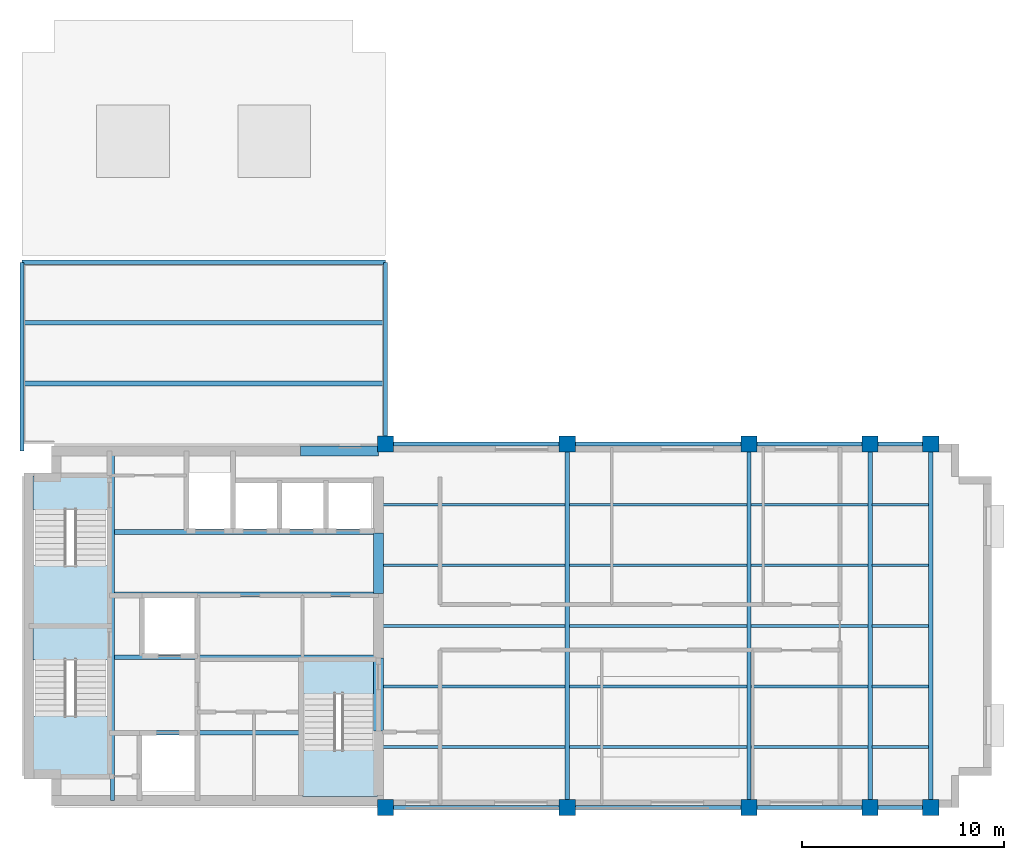
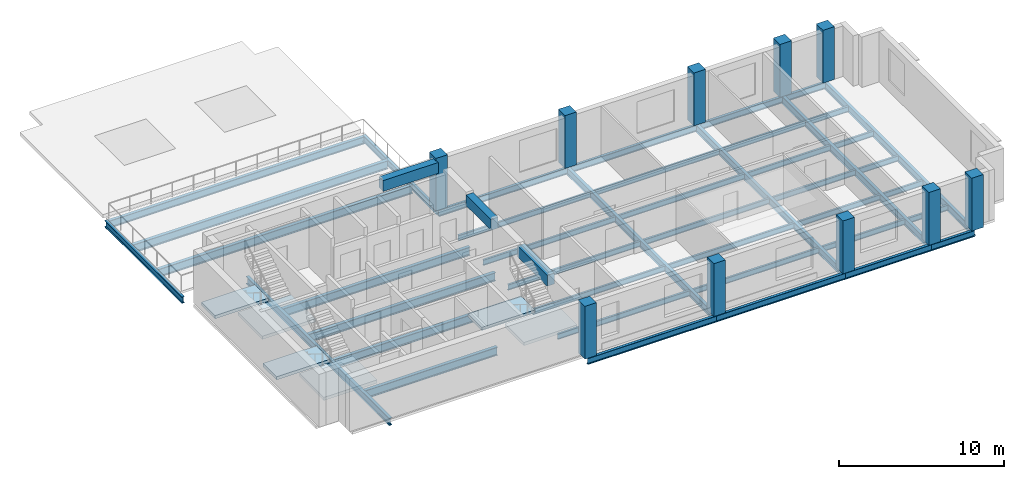
# One storey, part 1 of 5: 45 beams, 10 columns, 6 slabs, 3 elements without a shape of their own.
"""IFC4 building model written with IfcOpenShell, lengths in metres."""

from ifc_helpers import new_model, si_unit, direction, frame, origin, origin_2d, place, context, subcontext, project, spatial, polyline, rectangle, i_section, outline, extrude, material, layer, layer_set, material_profile, profile_set, type_object, element, aggregate, save


model = new_model("IFC4")

# Units and contexts
model_context = context("Model", 3, precision=1e-05, world=origin(), true_north=direction((0.0, 1.0)))
body_context = subcontext(model_context, "Body", "Model", "MODEL_VIEW")
ifc_project = project(units=[si_unit("LENGTHUNIT", "METRE"), si_unit("AREAUNIT", "SQUARE_METRE"), si_unit("VOLUMEUNIT", "CUBIC_METRE"), si_unit("PLANEANGLEUNIT", "RADIAN"), si_unit("MASSUNIT", "GRAM", prefix="KILO")], contexts=[model_context])

# Site, building, storey
site_placement = place(None, origin())
site = spatial("IfcSite", under=ifc_project, at=site_placement, CompositionType="ELEMENT")
building_placement = place(site_placement, origin())
building = spatial("IfcBuilding", under=site, at=building_placement, Name="Mawjdan Bourse Tower", CompositionType="ELEMENT")
storey_placement = place(building_placement, frame((0.0, 0.0, 254.699951171875)))
storey = spatial("IfcBuildingStorey", under=building, at=storey_placement, Name="L62", CompositionType="ELEMENT", Elevation=254.699951171875)

# Columns
ifc_material_1 = material(Name="Concrete C60/75", Category="concrete")
ifc_material_profile_1 = material_profile(ifc_material_1, rectangle(XDim=0.800048828125, YDim=0.800048828125, at=origin_2d()), Name="RC800X800")
ifc_profile_set_1 = profile_set([ifc_material_profile_1], Name="Concrete C60/75")
column_type = type_object("IfcColumnType", Name="COL-RC800X800", PredefinedType="COLUMN", material=ifc_profile_set_1)
for number, where, z_axis, x_axis, name in (
    (1, (24.0, 3.0, 0.0), (0.0, 0.0, 1.0), (1.0, 0.0, 0.0), "L62 Structural Column C-X240-Y30"),
    (2, (24.0, 21.0, 0.0), (0.0, 0.0, 1.0), (1.0, 0.0, 0.0), "L62 Structural Column C-X240-Y210"),
    (3, (33.0, 3.0, 0.0), (0.0, 0.0, 1.0), (1.0, 0.0, 0.0), "L62 Structural Column C-X330-Y30"),
    (4, (33.0, 21.0, 0.0), (0.0, 0.0, 1.0), (1.0, 0.0, 0.0), "L62 Structural Column C-X330-Y210"),
    (5, (42.0, 3.0, 0.0), (0.0, 0.0, 1.0), (1.0, 0.0, 0.0), "L62 Structural Column C-X420-Y30"),
    (6, (42.0, 21.0, 0.0), (0.0, 0.0, 1.0), (1.0, 0.0, 0.0), "L62 Structural Column C-X420-Y210"),
    (7, (48.0, 3.0, 0.0), (0.0, 0.0, 1.0), (1.0, 0.0, 0.0), "L62 Structural Column C-X480-Y30"),
    (8, (48.0, 21.0, 0.0), (0.0, 0.0, 1.0), (1.0, 0.0, 0.0), "L62 Structural Column C-X480-Y210"),
    (9, (51.0, 3.0, 0.0), (0.0, 0.0, 1.0), (1.0, 0.0, 0.0), "L62 Structural Column C-X510-Y30"),
    (10, (51.0, 21.0, 0.0), (0.0, 0.0, 1.0), (1.0, 0.0, 0.0), "L62 Structural Column C-X510-Y210"),
):
    element("IfcColumn", number, at=place(storey_placement, frame(where, z_axis=z_axis, x_axis=x_axis)), inside=storey, type_object=column_type, Name=name, PredefinedType="COLUMN", context=body_context, shape_type="SweptSolid", body=[
        extrude(rectangle(XDim=0.800048828125, YDim=0.800048828125, at=origin_2d()), origin(), (0.0, 0.0, 1.0), 3.900146484375),
    ])

# Beams
ifc_material_2 = material(Name="Structural Steel S355", Category="steel")
ifc_material_profile_2 = material_profile(ifc_material_2, i_section(OverallWidth=0.2119140625, OverallDepth=0.5439453125, WebThickness=0.01318359375, FlangeThickness=0.021240234375, FilletRadius=0.01708984375, at=origin_2d()), Name="W21X83")
ifc_profile_set_2 = profile_set([ifc_material_profile_2], Name="Structural Steel S355")
beam_type_1 = type_object("IfcBeamType", Name="GRD-W21X83", PredefinedType="BEAM", material=ifc_profile_set_2)
beam_1_placement = place(storey_placement, frame((10.47998046875, 3.35009765625, -0.45703125), z_axis=(0.0, 1.0, 0.0), x_axis=(-1.0, 0.0, 0.0)))
element("IfcBeam", 11, at=beam_1_placement, inside=storey, type_object=beam_type_1, Name="L62 Core Stair Trimmer Girder 001", PredefinedType="BEAM", context=body_context, shape_type="SweptSolid", body=[
    extrude(i_section(OverallWidth=0.2119140625, OverallDepth=0.5439453125, WebThickness=0.01318359375, FlangeThickness=0.021240234375, FilletRadius=0.01708984375, at=origin_2d()), origin(), (0.0, 0.0, 1.0), 17.2998046875),
])
for number, where, z_axis, x_axis, name in (
    (12, (33.0, 3.0, -0.45703125), (0.0, 1.0, 0.0), (-1.0, 0.0, 0.0), "L62 East Wing Clear-Span Girder 002"),
    (13, (42.0, 3.0, -0.45703125), (0.0, 1.0, 0.0), (-1.0, 0.0, 0.0), "L62 East Wing Clear-Span Girder 003"),
    (14, (48.0, 3.0, -0.45703125), (0.0, 1.0, 0.0), (-1.0, 0.0, 0.0), "L62 East Wing Clear-Span Girder 004"),
    (15, (51.0, 3.0, -0.45703125), (0.0, 1.0, 0.0), (-1.0, 0.0, 0.0), "L62 East Wing Clear-Span Girder 005"),
    (16, (6.0, 30.0, -0.531982421875), (1.0, 0.0, 0.0), (0.0, 1.0, 0.0), "L62 L62 Terrace North Edge Girder 038"),
):
    element("IfcBeam", number, at=place(storey_placement, frame(where, z_axis=z_axis, x_axis=x_axis)), inside=storey, type_object=beam_type_1, Name=name, PredefinedType="BEAM", context=body_context, shape_type="SweptSolid", body=[
        extrude(i_section(OverallWidth=0.2119140625, OverallDepth=0.5439453125, WebThickness=0.01318359375, FlangeThickness=0.021240234375, FilletRadius=0.01708984375, at=origin_2d()), origin(), (0.0, 0.0, 1.0), 18.0),
    ])
ifc_material_profile_3 = material_profile(ifc_material_2, i_section(OverallWidth=0.139892578125, OverallDepth=0.404052734375, WebThickness=0.007080078125, FlangeThickness=0.01123046875, FilletRadius=0.009033203125, at=origin_2d()), Name="W16X31")
ifc_profile_set_3 = profile_set([ifc_material_profile_3], Name="Structural Steel S355")
beam_type_2 = type_object("IfcBeamType", Name="JST-W16X31", PredefinedType="JOIST", material=ifc_profile_set_3)
beam_2_placement = place(storey_placement, frame((23.64990234375, 6.0, -0.386962890625), z_axis=(1.0, 0.0, 0.0), x_axis=(0.0, 1.0, 0.0)))
element("IfcBeam", 17, at=beam_2_placement, inside=storey, type_object=beam_type_2, Name="L62 East Wing Composite Joist 014", PredefinedType="JOIST", context=body_context, shape_type="SweptSolid", body=[
    extrude(i_section(OverallWidth=0.139892578125, OverallDepth=0.404052734375, WebThickness=0.007080078125, FlangeThickness=0.01123046875, FilletRadius=0.009033203125, at=origin_2d()), origin(), (0.0, 0.0, 1.0), 9.24609375),
])
beam_3_placement = place(storey_placement, frame((33.10400390625, 6.0, -0.386962890625), z_axis=(1.0, 0.0, 0.0), x_axis=(0.0, 1.0, 0.0)))
element("IfcBeam", 18, at=beam_3_placement, inside=storey, type_object=beam_type_2, Name="L62 East Wing Composite Joist 015", PredefinedType="JOIST", context=body_context, shape_type="SweptSolid", body=[
    extrude(i_section(OverallWidth=0.139892578125, OverallDepth=0.404052734375, WebThickness=0.007080078125, FlangeThickness=0.01123046875, FilletRadius=0.009033203125, at=origin_2d()), origin(), (0.0, 0.0, 1.0), 8.7919921875),
])
beam_4_placement = place(storey_placement, frame((42.10400390625, 6.0, -0.386962890625), z_axis=(1.0, 0.0, 0.0), x_axis=(0.0, 1.0, 0.0)))
element("IfcBeam", 19, at=beam_4_placement, inside=storey, type_object=beam_type_2, Name="L62 East Wing Composite Joist 016", PredefinedType="JOIST", context=body_context, shape_type="SweptSolid", body=[
    extrude(i_section(OverallWidth=0.139892578125, OverallDepth=0.404052734375, WebThickness=0.007080078125, FlangeThickness=0.01123046875, FilletRadius=0.009033203125, at=origin_2d()), origin(), (0.0, 0.0, 1.0), 5.7919921875),
])
beam_5_placement = place(storey_placement, frame((48.10400390625, 6.0, -0.386962890625), z_axis=(1.0, 0.0, 0.0), x_axis=(0.0, 1.0, 0.0)))
element("IfcBeam", 20, at=beam_5_placement, inside=storey, type_object=beam_type_2, Name="L62 East Wing Composite Joist 017", PredefinedType="JOIST", context=body_context, shape_type="SweptSolid", body=[
    extrude(i_section(OverallWidth=0.139892578125, OverallDepth=0.404052734375, WebThickness=0.007080078125, FlangeThickness=0.01123046875, FilletRadius=0.009033203125, at=origin_2d()), origin(), (0.0, 0.0, 1.0), 2.7919921875),
])
beam_6_placement = place(storey_placement, frame((23.64990234375, 9.0, -0.386962890625), z_axis=(1.0, 0.0, 0.0), x_axis=(0.0, 1.0, 0.0)))
element("IfcBeam", 21, at=beam_6_placement, inside=storey, type_object=beam_type_2, Name="L62 East Wing Composite Joist 018", PredefinedType="JOIST", context=body_context, shape_type="SweptSolid", body=[
    extrude(i_section(OverallWidth=0.139892578125, OverallDepth=0.404052734375, WebThickness=0.007080078125, FlangeThickness=0.01123046875, FilletRadius=0.009033203125, at=origin_2d()), origin(), (0.0, 0.0, 1.0), 9.24609375),
])
beam_7_placement = place(storey_placement, frame((33.10400390625, 9.0, -0.386962890625), z_axis=(1.0, 0.0, 0.0), x_axis=(0.0, 1.0, 0.0)))
element("IfcBeam", 22, at=beam_7_placement, inside=storey, type_object=beam_type_2, Name="L62 East Wing Composite Joist 019", PredefinedType="JOIST", context=body_context, shape_type="SweptSolid", body=[
    extrude(i_section(OverallWidth=0.139892578125, OverallDepth=0.404052734375, WebThickness=0.007080078125, FlangeThickness=0.01123046875, FilletRadius=0.009033203125, at=origin_2d()), origin(), (0.0, 0.0, 1.0), 8.7919921875),
])
beam_8_placement = place(storey_placement, frame((42.10400390625, 9.0, -0.386962890625), z_axis=(1.0, 0.0, 0.0), x_axis=(0.0, 1.0, 0.0)))
element("IfcBeam", 23, at=beam_8_placement, inside=storey, type_object=beam_type_2, Name="L62 East Wing Composite Joist 020", PredefinedType="JOIST", context=body_context, shape_type="SweptSolid", body=[
    extrude(i_section(OverallWidth=0.139892578125, OverallDepth=0.404052734375, WebThickness=0.007080078125, FlangeThickness=0.01123046875, FilletRadius=0.009033203125, at=origin_2d()), origin(), (0.0, 0.0, 1.0), 5.7919921875),
])
beam_9_placement = place(storey_placement, frame((48.10400390625, 9.0, -0.386962890625), z_axis=(1.0, 0.0, 0.0), x_axis=(0.0, 1.0, 0.0)))
element("IfcBeam", 24, at=beam_9_placement, inside=storey, type_object=beam_type_2, Name="L62 East Wing Composite Joist 021", PredefinedType="JOIST", context=body_context, shape_type="SweptSolid", body=[
    extrude(i_section(OverallWidth=0.139892578125, OverallDepth=0.404052734375, WebThickness=0.007080078125, FlangeThickness=0.01123046875, FilletRadius=0.009033203125, at=origin_2d()), origin(), (0.0, 0.0, 1.0), 2.7919921875),
])
beam_10_placement = place(storey_placement, frame((23.64990234375, 12.0, -0.386962890625), z_axis=(1.0, 0.0, 0.0), x_axis=(0.0, 1.0, 0.0)))
element("IfcBeam", 25, at=beam_10_placement, inside=storey, type_object=beam_type_2, Name="L62 East Wing Composite Joist 022", PredefinedType="JOIST", context=body_context, shape_type="SweptSolid", body=[
    extrude(i_section(OverallWidth=0.139892578125, OverallDepth=0.404052734375, WebThickness=0.007080078125, FlangeThickness=0.01123046875, FilletRadius=0.009033203125, at=origin_2d()), origin(), (0.0, 0.0, 1.0), 9.24609375),
])
beam_11_placement = place(storey_placement, frame((33.10400390625, 12.0, -0.386962890625), z_axis=(1.0, 0.0, 0.0), x_axis=(0.0, 1.0, 0.0)))
element("IfcBeam", 26, at=beam_11_placement, inside=storey, type_object=beam_type_2, Name="L62 East Wing Composite Joist 023", PredefinedType="JOIST", context=body_context, shape_type="SweptSolid", body=[
    extrude(i_section(OverallWidth=0.139892578125, OverallDepth=0.404052734375, WebThickness=0.007080078125, FlangeThickness=0.01123046875, FilletRadius=0.009033203125, at=origin_2d()), origin(), (0.0, 0.0, 1.0), 8.7919921875),
])
beam_12_placement = place(storey_placement, frame((42.10400390625, 12.0, -0.386962890625), z_axis=(1.0, 0.0, 0.0), x_axis=(0.0, 1.0, 0.0)))
element("IfcBeam", 27, at=beam_12_placement, inside=storey, type_object=beam_type_2, Name="L62 East Wing Composite Joist 024", PredefinedType="JOIST", context=body_context, shape_type="SweptSolid", body=[
    extrude(i_section(OverallWidth=0.139892578125, OverallDepth=0.404052734375, WebThickness=0.007080078125, FlangeThickness=0.01123046875, FilletRadius=0.009033203125, at=origin_2d()), origin(), (0.0, 0.0, 1.0), 5.7919921875),
])
beam_13_placement = place(storey_placement, frame((48.10400390625, 12.0, -0.386962890625), z_axis=(1.0, 0.0, 0.0), x_axis=(0.0, 1.0, 0.0)))
element("IfcBeam", 28, at=beam_13_placement, inside=storey, type_object=beam_type_2, Name="L62 East Wing Composite Joist 025", PredefinedType="JOIST", context=body_context, shape_type="SweptSolid", body=[
    extrude(i_section(OverallWidth=0.139892578125, OverallDepth=0.404052734375, WebThickness=0.007080078125, FlangeThickness=0.01123046875, FilletRadius=0.009033203125, at=origin_2d()), origin(), (0.0, 0.0, 1.0), 2.7919921875),
])
beam_14_placement = place(storey_placement, frame((23.64990234375, 15.0, -0.386962890625), z_axis=(1.0, 0.0, 0.0), x_axis=(0.0, 1.0, 0.0)))
element("IfcBeam", 29, at=beam_14_placement, inside=storey, type_object=beam_type_2, Name="L62 East Wing Composite Joist 026", PredefinedType="JOIST", context=body_context, shape_type="SweptSolid", body=[
    extrude(i_section(OverallWidth=0.139892578125, OverallDepth=0.404052734375, WebThickness=0.007080078125, FlangeThickness=0.01123046875, FilletRadius=0.009033203125, at=origin_2d()), origin(), (0.0, 0.0, 1.0), 9.24609375),
])
beam_15_placement = place(storey_placement, frame((33.10400390625, 15.0, -0.386962890625), z_axis=(1.0, 0.0, 0.0), x_axis=(0.0, 1.0, 0.0)))
element("IfcBeam", 30, at=beam_15_placement, inside=storey, type_object=beam_type_2, Name="L62 East Wing Composite Joist 027", PredefinedType="JOIST", context=body_context, shape_type="SweptSolid", body=[
    extrude(i_section(OverallWidth=0.139892578125, OverallDepth=0.404052734375, WebThickness=0.007080078125, FlangeThickness=0.01123046875, FilletRadius=0.009033203125, at=origin_2d()), origin(), (0.0, 0.0, 1.0), 8.7919921875),
])
beam_16_placement = place(storey_placement, frame((42.10400390625, 15.0, -0.386962890625), z_axis=(1.0, 0.0, 0.0), x_axis=(0.0, 1.0, 0.0)))
element("IfcBeam", 31, at=beam_16_placement, inside=storey, type_object=beam_type_2, Name="L62 East Wing Composite Joist 028", PredefinedType="JOIST", context=body_context, shape_type="SweptSolid", body=[
    extrude(i_section(OverallWidth=0.139892578125, OverallDepth=0.404052734375, WebThickness=0.007080078125, FlangeThickness=0.01123046875, FilletRadius=0.009033203125, at=origin_2d()), origin(), (0.0, 0.0, 1.0), 5.7919921875),
])
beam_17_placement = place(storey_placement, frame((48.10400390625, 15.0, -0.386962890625), z_axis=(1.0, 0.0, 0.0), x_axis=(0.0, 1.0, 0.0)))
element("IfcBeam", 32, at=beam_17_placement, inside=storey, type_object=beam_type_2, Name="L62 East Wing Composite Joist 029", PredefinedType="JOIST", context=body_context, shape_type="SweptSolid", body=[
    extrude(i_section(OverallWidth=0.139892578125, OverallDepth=0.404052734375, WebThickness=0.007080078125, FlangeThickness=0.01123046875, FilletRadius=0.009033203125, at=origin_2d()), origin(), (0.0, 0.0, 1.0), 2.7919921875),
])
beam_18_placement = place(storey_placement, frame((23.64990234375, 18.0, -0.386962890625), z_axis=(1.0, 0.0, 0.0), x_axis=(0.0, 1.0, 0.0)))
element("IfcBeam", 33, at=beam_18_placement, inside=storey, type_object=beam_type_2, Name="L62 East Wing Composite Joist 030", PredefinedType="JOIST", context=body_context, shape_type="SweptSolid", body=[
    extrude(i_section(OverallWidth=0.139892578125, OverallDepth=0.404052734375, WebThickness=0.007080078125, FlangeThickness=0.01123046875, FilletRadius=0.009033203125, at=origin_2d()), origin(), (0.0, 0.0, 1.0), 9.24609375),
])
beam_19_placement = place(storey_placement, frame((33.10400390625, 18.0, -0.386962890625), z_axis=(1.0, 0.0, 0.0), x_axis=(0.0, 1.0, 0.0)))
element("IfcBeam", 34, at=beam_19_placement, inside=storey, type_object=beam_type_2, Name="L62 East Wing Composite Joist 031", PredefinedType="JOIST", context=body_context, shape_type="SweptSolid", body=[
    extrude(i_section(OverallWidth=0.139892578125, OverallDepth=0.404052734375, WebThickness=0.007080078125, FlangeThickness=0.01123046875, FilletRadius=0.009033203125, at=origin_2d()), origin(), (0.0, 0.0, 1.0), 8.7919921875),
])
beam_20_placement = place(storey_placement, frame((42.10400390625, 18.0, -0.386962890625), z_axis=(1.0, 0.0, 0.0), x_axis=(0.0, 1.0, 0.0)))
element("IfcBeam", 35, at=beam_20_placement, inside=storey, type_object=beam_type_2, Name="L62 East Wing Composite Joist 032", PredefinedType="JOIST", context=body_context, shape_type="SweptSolid", body=[
    extrude(i_section(OverallWidth=0.139892578125, OverallDepth=0.404052734375, WebThickness=0.007080078125, FlangeThickness=0.01123046875, FilletRadius=0.009033203125, at=origin_2d()), origin(), (0.0, 0.0, 1.0), 5.7919921875),
])
beam_21_placement = place(storey_placement, frame((48.10400390625, 18.0, -0.386962890625), z_axis=(1.0, 0.0, 0.0), x_axis=(0.0, 1.0, 0.0)))
element("IfcBeam", 36, at=beam_21_placement, inside=storey, type_object=beam_type_2, Name="L62 East Wing Composite Joist 033", PredefinedType="JOIST", context=body_context, shape_type="SweptSolid", body=[
    extrude(i_section(OverallWidth=0.139892578125, OverallDepth=0.404052734375, WebThickness=0.007080078125, FlangeThickness=0.01123046875, FilletRadius=0.009033203125, at=origin_2d()), origin(), (0.0, 0.0, 1.0), 2.7919921875),
])
ifc_material_profile_4 = material_profile(ifc_material_2, i_section(OverallWidth=0.22998046875, OverallDepth=0.616943359375, WebThickness=0.01318359375, FlangeThickness=0.022216796875, FilletRadius=0.017822265625, at=origin_2d()), Name="W24X94")
ifc_profile_set_4 = profile_set([ifc_material_profile_4], Name="Structural Steel S355")
beam_type_3 = type_object("IfcBeamType", Name="JST-W24X94", PredefinedType="JOIST", material=ifc_profile_set_4)
beam_22_placement = place(storey_placement, frame((10.583984375, 6.699951171875, -0.493408203125), z_axis=(1.0, 0.0, 0.0), x_axis=(0.0, 1.0, 0.0)))
element("IfcBeam", 37, at=beam_22_placement, inside=storey, type_object=beam_type_3, Name="L62 Core Floor Joist 034", PredefinedType="JOIST", context=body_context, shape_type="SweptSolid", body=[
    extrude(i_section(OverallWidth=0.22998046875, OverallDepth=0.616943359375, WebThickness=0.01318359375, FlangeThickness=0.022216796875, FilletRadius=0.017822265625, at=origin_2d()), origin(), (0.0, 0.0, 1.0), 9.24609375),
])
for number, where, z_axis, x_axis, name in (
    (38, (10.583984375, 10.449951171875, -0.493408203125), (1.0, 0.0, 0.0), (0.0, 1.0, 0.0), "L62 Core Floor Joist 035"),
    (39, (10.583984375, 13.550048828125, -0.493408203125), (1.0, 0.0, 0.0), (0.0, 1.0, 0.0), "L62 Core Floor Joist 036"),
    (40, (10.583984375, 16.64990234375, -0.493408203125), (1.0, 0.0, 0.0), (0.0, 1.0, 0.0), "L62 Core Floor Joist 037"),
):
    element("IfcBeam", number, at=place(storey_placement, frame(where, z_axis=z_axis, x_axis=x_axis)), inside=storey, type_object=beam_type_3, Name=name, PredefinedType="JOIST", context=body_context, shape_type="SweptSolid", body=[
        extrude(i_section(OverallWidth=0.22998046875, OverallDepth=0.616943359375, WebThickness=0.01318359375, FlangeThickness=0.022216796875, FilletRadius=0.017822265625, at=origin_2d()), origin(), (0.0, 0.0, 1.0), 13.06591796875),
    ])
for number, where, z_axis, x_axis, name in (
    (41, (6.093994140625, 24.0, -0.478515625), (1.0, 0.0, 0.0), (0.0, 1.0, 0.0), "L62 L62 Terrace Deck Joist 041"),
    (42, (6.093994140625, 27.0, -0.478515625), (1.0, 0.0, 0.0), (0.0, 1.0, 0.0), "L62 L62 Terrace Deck Joist 042"),
):
    element("IfcBeam", number, at=place(storey_placement, frame(where, z_axis=z_axis, x_axis=x_axis)), inside=storey, type_object=beam_type_3, Name=name, PredefinedType="JOIST", context=body_context, shape_type="SweptSolid", body=[
        extrude(i_section(OverallWidth=0.22998046875, OverallDepth=0.616943359375, WebThickness=0.01318359375, FlangeThickness=0.022216796875, FilletRadius=0.017822265625, at=origin_2d()), origin(), (0.0, 0.0, 1.0), 17.81201171875),
    ])
ifc_material_3 = material(Name="Concrete C70/85", Category="concrete")
ifc_material_profile_5 = material_profile(ifc_material_3, rectangle(XDim=0.5, YDim=0.800048828125, at=origin_2d()), Name="RCB500X800")
ifc_profile_set_5 = profile_set([ifc_material_profile_5], Name="Concrete C70/85")
beam_type_4 = type_object("IfcBeamType", Name="LNT-RCB500X800", PredefinedType="LINTEL", material=ifc_profile_set_5)
beam_23_placement = place(storey_placement, frame((23.64990234375, 6.800048828125, 3.31494140625), z_axis=(0.0, 1.0, 0.0), x_axis=(-1.0, 0.0, 0.0)))
element("IfcBeam", 43, at=beam_23_placement, inside=storey, type_object=beam_type_4, Name="L62 Coupled Core Lintel CB-E1", PredefinedType="LINTEL", context=body_context, shape_type="SweptSolid", body=[
    extrude(rectangle(XDim=0.5, YDim=0.800048828125, at=origin_2d()), origin(), (0.0, 0.0, 1.0), 3.599853515625),
])
beam_24_placement = place(storey_placement, frame((23.64990234375, 13.60009765625, 3.31494140625), z_axis=(0.0, 1.0, 0.0), x_axis=(-1.0, 0.0, 0.0)))
element("IfcBeam", 44, at=beam_24_placement, inside=storey, type_object=beam_type_4, Name="L62 Coupled Core Lintel CB-E2", PredefinedType="LINTEL", context=body_context, shape_type="SweptSolid", body=[
    extrude(rectangle(XDim=0.5, YDim=0.800048828125, at=origin_2d()), origin(), (0.0, 0.0, 1.0), 3.0),
])
beam_25_placement = place(storey_placement, frame((19.800048828125, 20.64990234375, 3.31494140625), z_axis=(1.0, 0.0, 0.0), x_axis=(0.0, 1.0, 0.0)))
element("IfcBeam", 45, at=beam_25_placement, inside=storey, type_object=beam_type_4, Name="L62 Coupled Core Lintel CB-N1", PredefinedType="LINTEL", context=body_context, shape_type="SweptSolid", body=[
    extrude(rectangle(XDim=0.5, YDim=0.800048828125, at=origin_2d()), origin(), (0.0, 0.0, 1.0), 3.849853515625),
])
ifc_material_profile_6 = material_profile(ifc_material_2, i_section(OverallWidth=0.19189453125, OverallDepth=0.462890625, WebThickness=0.010498046875, FlangeThickness=0.017578125, FilletRadius=0.01416015625, at=origin_2d()), Name="W18X60")
ifc_profile_set_6 = profile_set([ifc_material_profile_6], Name="Structural Steel S355")
beam_type_5 = type_object("IfcBeamType", Name="SPN-W18X60", PredefinedType="SPANDREL", material=ifc_profile_set_6)
for number, where, z_axis, x_axis, name in (
    (46, (24.0, 3.0, -0.491455078125), (1.0, 0.0, 0.0), (0.0, 1.0, 0.0), "L62 Perimeter Masonry-Shelf Spandrel 006"),
    (47, (33.0, 3.0, -0.491455078125), (1.0, 0.0, 0.0), (0.0, 1.0, 0.0), "L62 Perimeter Masonry-Shelf Spandrel 007"),
):
    element("IfcBeam", number, at=place(storey_placement, frame(where, z_axis=z_axis, x_axis=x_axis)), inside=storey, type_object=beam_type_5, Name=name, PredefinedType="SPANDREL", context=body_context, shape_type="SweptSolid", body=[
        extrude(i_section(OverallWidth=0.19189453125, OverallDepth=0.462890625, WebThickness=0.010498046875, FlangeThickness=0.017578125, FilletRadius=0.01416015625, at=origin_2d()), origin(), (0.0, 0.0, 1.0), 9.0),
    ])
beam_26_placement = place(storey_placement, frame((42.0, 3.0, -0.491455078125), z_axis=(1.0, 0.0, 0.0), x_axis=(0.0, 1.0, 0.0)))
element("IfcBeam", 48, at=beam_26_placement, inside=storey, type_object=beam_type_5, Name="L62 Perimeter Masonry-Shelf Spandrel 008", PredefinedType="SPANDREL", context=body_context, shape_type="SweptSolid", body=[
    extrude(i_section(OverallWidth=0.19189453125, OverallDepth=0.462890625, WebThickness=0.010498046875, FlangeThickness=0.017578125, FilletRadius=0.01416015625, at=origin_2d()), origin(), (0.0, 0.0, 1.0), 6.0),
])
beam_27_placement = place(storey_placement, frame((48.0, 3.0, -0.491455078125), z_axis=(1.0, 0.0, 0.0), x_axis=(0.0, 1.0, 0.0)))
element("IfcBeam", 49, at=beam_27_placement, inside=storey, type_object=beam_type_5, Name="L62 Perimeter Masonry-Shelf Spandrel 009", PredefinedType="SPANDREL", context=body_context, shape_type="SweptSolid", body=[
    extrude(i_section(OverallWidth=0.19189453125, OverallDepth=0.462890625, WebThickness=0.010498046875, FlangeThickness=0.017578125, FilletRadius=0.01416015625, at=origin_2d()), origin(), (0.0, 0.0, 1.0), 3.0),
])
for number, where, z_axis, x_axis, name in (
    (50, (24.0, 21.0, -0.491455078125), (1.0, 0.0, 0.0), (0.0, 1.0, 0.0), "L62 Perimeter Masonry-Shelf Spandrel 010"),
    (51, (33.0, 21.0, -0.491455078125), (1.0, 0.0, 0.0), (0.0, 1.0, 0.0), "L62 Perimeter Masonry-Shelf Spandrel 011"),
):
    element("IfcBeam", number, at=place(storey_placement, frame(where, z_axis=z_axis, x_axis=x_axis)), inside=storey, type_object=beam_type_5, Name=name, PredefinedType="SPANDREL", context=body_context, shape_type="SweptSolid", body=[
        extrude(i_section(OverallWidth=0.19189453125, OverallDepth=0.462890625, WebThickness=0.010498046875, FlangeThickness=0.017578125, FilletRadius=0.01416015625, at=origin_2d()), origin(), (0.0, 0.0, 1.0), 9.0),
    ])
beam_28_placement = place(storey_placement, frame((42.0, 21.0, -0.491455078125), z_axis=(1.0, 0.0, 0.0), x_axis=(0.0, 1.0, 0.0)))
element("IfcBeam", 52, at=beam_28_placement, inside=storey, type_object=beam_type_5, Name="L62 Perimeter Masonry-Shelf Spandrel 012", PredefinedType="SPANDREL", context=body_context, shape_type="SweptSolid", body=[
    extrude(i_section(OverallWidth=0.19189453125, OverallDepth=0.462890625, WebThickness=0.010498046875, FlangeThickness=0.017578125, FilletRadius=0.01416015625, at=origin_2d()), origin(), (0.0, 0.0, 1.0), 6.0),
])
beam_29_placement = place(storey_placement, frame((48.0, 21.0, -0.491455078125), z_axis=(1.0, 0.0, 0.0), x_axis=(0.0, 1.0, 0.0)))
element("IfcBeam", 53, at=beam_29_placement, inside=storey, type_object=beam_type_5, Name="L62 Perimeter Masonry-Shelf Spandrel 013", PredefinedType="SPANDREL", context=body_context, shape_type="SweptSolid", body=[
    extrude(i_section(OverallWidth=0.19189453125, OverallDepth=0.462890625, WebThickness=0.010498046875, FlangeThickness=0.017578125, FilletRadius=0.01416015625, at=origin_2d()), origin(), (0.0, 0.0, 1.0), 3.0),
])
beam_30_placement = place(storey_placement, frame((6.0, 20.64990234375, -0.4013671875), z_axis=(0.0, 1.0, 0.0), x_axis=(-1.0, 0.0, 0.0)))
element("IfcBeam", 54, at=beam_30_placement, inside=storey, type_object=beam_type_5, Name="L62 L62 Terrace West Edge Beam 039", PredefinedType="SPANDREL", context=body_context, shape_type="SweptSolid", body=[
    extrude(i_section(OverallWidth=0.19189453125, OverallDepth=0.462890625, WebThickness=0.010498046875, FlangeThickness=0.017578125, FilletRadius=0.01416015625, at=origin_2d()), origin(), (0.0, 0.0, 1.0), 9.35009765625),
])
beam_31_placement = place(storey_placement, frame((24.0, 21.0, -0.4013671875), z_axis=(0.0, 1.0, 0.0), x_axis=(-1.0, 0.0, 0.0)))
element("IfcBeam", 55, at=beam_31_placement, inside=storey, type_object=beam_type_5, Name="L62 L62 Terrace East Edge Beam 040", PredefinedType="SPANDREL", context=body_context, shape_type="SweptSolid", body=[
    extrude(i_section(OverallWidth=0.19189453125, OverallDepth=0.462890625, WebThickness=0.010498046875, FlangeThickness=0.017578125, FilletRadius=0.01416015625, at=origin_2d()), origin(), (0.0, 0.0, 1.0), 9.0),
])

# Stair, slabs
ifc_material_4 = material(Name="Concrete C50/60", Category="concrete")
stair_type = type_object("IfcStairType", Name="STR-CORE-1500", PredefinedType="HALF_TURN_STAIR", material=ifc_material_4)
stair_1_placement = place(storey_placement, origin())
stair_1 = element("IfcStair", 56, at=stair_1_placement, inside=storey, type_object=stair_type, Name="L62 Exit Stair 1 (Core South-West)", PredefinedType="HALF_TURN_STAIR")
ifc_layer = layer(ifc_material_4, 0.22998046875)
ifc_layer_set = layer_set([ifc_layer], Name="Concrete C50/60")
slab_type = type_object("IfcSlabType", Name="SL-LND-230", PredefinedType="LANDING", material=ifc_layer_set)
slab_1_placement = place(storey_placement, frame((0.0, 0.0, -0.22998046875)))
slab_1 = element("IfcSlab", 57, at=slab_1_placement, type_object=slab_type, Name="ST1-L62 landing 1", PredefinedType="LANDING", context=body_context, shape_type="SweptSolid", body=[
    extrude(outline(polyline([(6.5400390625, 10.31005859375), (10.260009765625, 10.31005859375), (10.260009765625, 11.969970703125), (6.5400390625, 11.969970703125), (6.5400390625, 10.31005859375)])), origin(), (0.0, 0.0, 1.0), 0.22998046875),
])
slab_2_placement = place(storey_placement, frame((0.0, 0.0, 1.719970703125)))
slab_2 = element("IfcSlab", 58, at=slab_2_placement, type_object=slab_type, Name="ST1-L62 landing 2", PredefinedType="LANDING", context=body_context, shape_type="SweptSolid", body=[
    extrude(outline(polyline([(6.5400390625, 4.590087890625), (10.260009765625, 4.590087890625), (10.260009765625, 7.5400390625), (6.5400390625, 7.5400390625), (6.5400390625, 4.590087890625)])), origin(), (0.0, 0.0, 1.0), 0.22998046875),
])
aggregate(stair_1, [slab_1, slab_2])

stair_2_placement = place(storey_placement, origin())
stair_2 = element("IfcStair", 59, at=stair_2_placement, inside=storey, type_object=stair_type, Name="L62 Exit Stair 2 (Core North-West)", PredefinedType="HALF_TURN_STAIR")
slab_3_placement = place(storey_placement, frame((0.0, 0.0, -0.22998046875)))
slab_3 = element("IfcSlab", 60, at=slab_3_placement, type_object=slab_type, Name="ST2-L62 landing 1", PredefinedType="LANDING", context=body_context, shape_type="SweptSolid", body=[
    extrude(outline(polyline([(6.5400390625, 17.75), (10.260009765625, 17.75), (10.260009765625, 19.409912109375), (6.5400390625, 19.409912109375), (6.5400390625, 17.75)])), origin(), (0.0, 0.0, 1.0), 0.22998046875),
])
slab_4_placement = place(storey_placement, frame((0.0, 0.0, 1.719970703125)))
slab_4 = element("IfcSlab", 61, at=slab_4_placement, type_object=slab_type, Name="ST2-L62 landing 2", PredefinedType="LANDING", context=body_context, shape_type="SweptSolid", body=[
    extrude(outline(polyline([(6.5400390625, 12.030029296875), (10.260009765625, 12.030029296875), (10.260009765625, 14.97998046875), (6.5400390625, 14.97998046875), (6.5400390625, 12.030029296875)])), origin(), (0.0, 0.0, 1.0), 0.22998046875),
])
aggregate(stair_2, [slab_3, slab_4])

stair_3_placement = place(storey_placement, origin())
stair_3 = element("IfcStair", 62, at=stair_3_placement, inside=storey, type_object=stair_type, Name="L62 Exit Stair 7 (Core South-East)", PredefinedType="HALF_TURN_STAIR")
slab_5_placement = place(storey_placement, frame((0.0, 0.0, -0.22998046875)))
slab_5 = element("IfcSlab", 63, at=slab_5_placement, type_object=slab_type, Name="ST7-L62 landing 1", PredefinedType="LANDING", context=body_context, shape_type="SweptSolid", body=[
    extrude(outline(polyline([(19.889892578125, 8.6201171875), (23.610107421875, 8.6201171875), (23.610107421875, 10.280029296875), (19.889892578125, 10.280029296875), (19.889892578125, 8.6201171875)])), origin(), (0.0, 0.0, 1.0), 0.22998046875),
])
slab_6_placement = place(storey_placement, frame((0.0, 0.0, 1.719970703125)))
slab_6 = element("IfcSlab", 64, at=slab_6_placement, type_object=slab_type, Name="ST7-L62 landing 2", PredefinedType="LANDING", context=body_context, shape_type="SweptSolid", body=[
    extrude(outline(polyline([(19.889892578125, 3.56005859375), (23.610107421875, 3.56005859375), (23.610107421875, 5.85009765625), (19.889892578125, 5.85009765625), (19.889892578125, 3.56005859375)])), origin(), (0.0, 0.0, 1.0), 0.22998046875),
])
aggregate(stair_3, [slab_5, slab_6])

save(model, "model.ifc")
